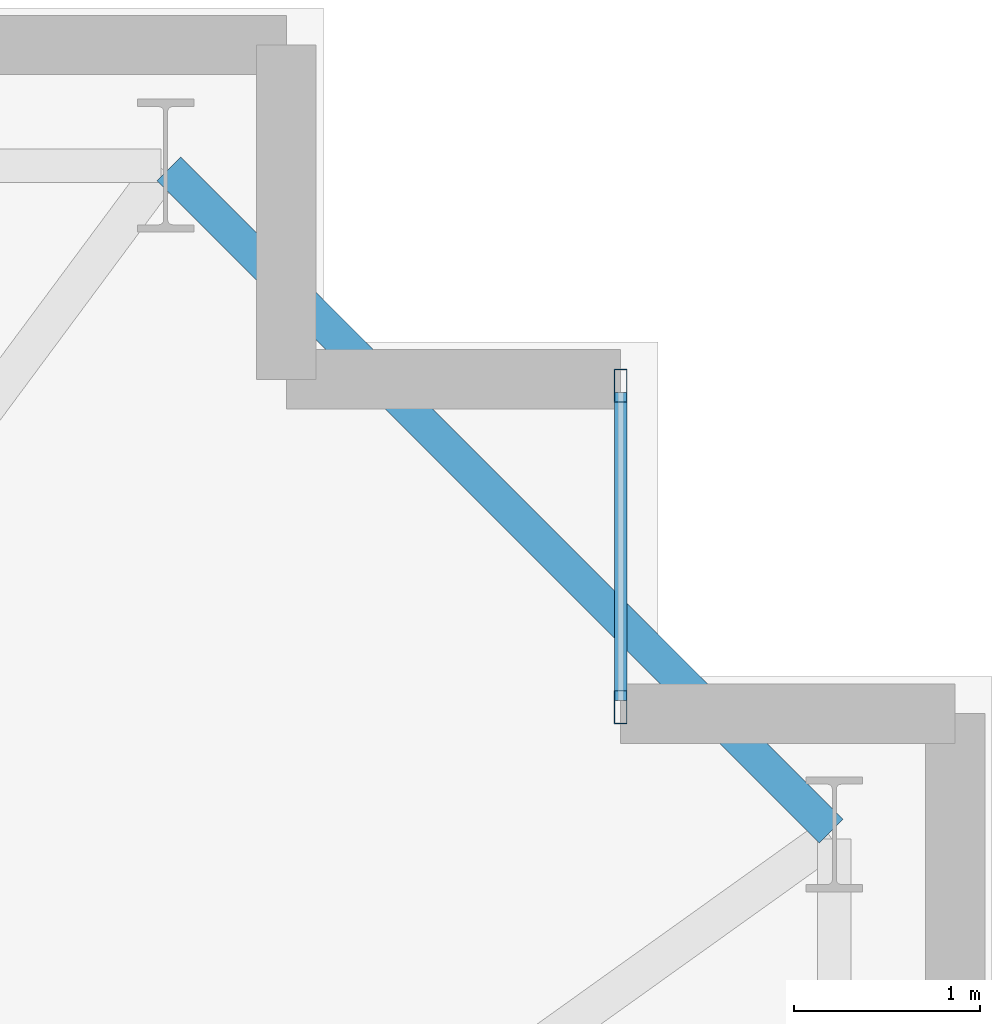
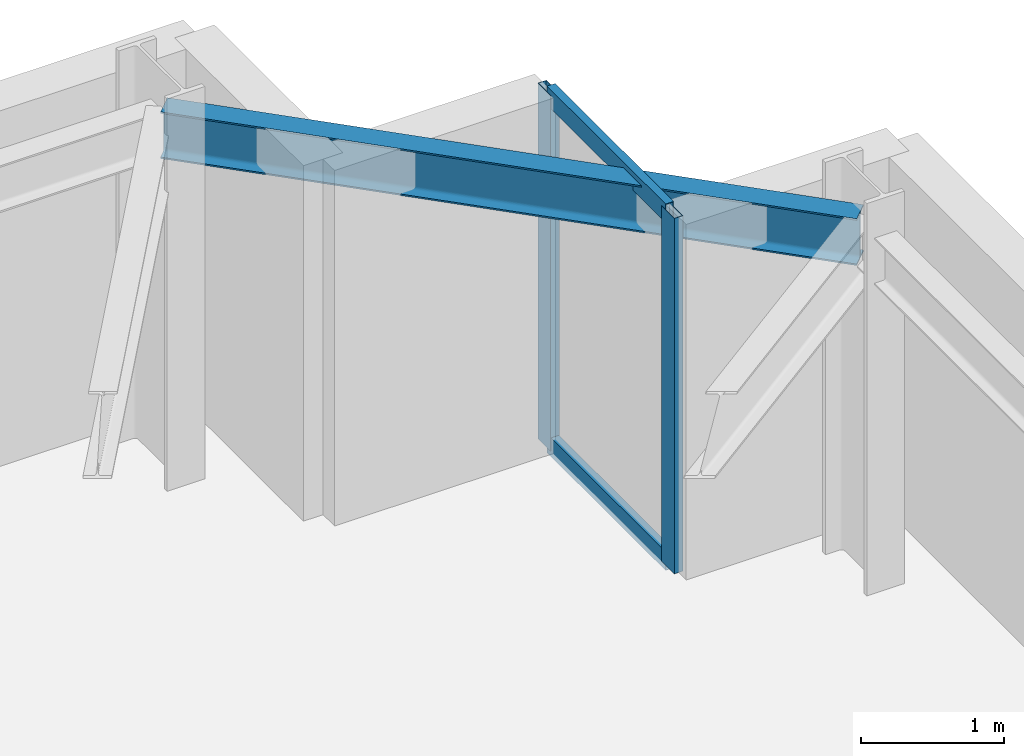
# One storey, part 12 of 22: 4 members, 1 beam, 1 element without a shape of its own.
"""IFC4 building model written with IfcOpenShell, lengths in metres."""

from ifc_helpers import new_model, si_unit, direction, frame, origin, origin_2d, place, context, subcontext, project, spatial, hollow_rectangle, i_section, extrude, material, layer, layer_set, material_profile, profile_set, type_object, element, aggregate, save


model = new_model("IFC4")

# Units and contexts
model_context = context("Model", 3, precision=1e-05, world=origin(), true_north=direction((0.0, 1.0)))
body_context = subcontext(model_context, "Body", "Model", "MODEL_VIEW")
ifc_project = project(units=[si_unit("LENGTHUNIT", "METRE"), si_unit("AREAUNIT", "SQUARE_METRE"), si_unit("VOLUMEUNIT", "CUBIC_METRE"), si_unit("PLANEANGLEUNIT", "RADIAN"), si_unit("MASSUNIT", "GRAM", prefix="KILO")], contexts=[model_context])

# Site, building, storey
site_placement = place(None, origin())
site = spatial("IfcSite", under=ifc_project, at=site_placement, CompositionType="ELEMENT")
building_placement = place(site_placement, origin())
building = spatial("IfcBuilding", under=site, at=building_placement, Name="Qobustan Lattice House", CompositionType="ELEMENT")
storey_placement = place(building_placement, frame((0.0, 0.0, 33.699951171875)))
storey = spatial("IfcBuildingStorey", under=building, at=storey_placement, Name="L08", CompositionType="ELEMENT", Elevation=33.699951171875)

# Beam
ifc_material_1 = material(Name="Steel S355", Category="steel")
ifc_material_profile_1 = material_profile(ifc_material_1, i_section(OverallWidth=0.179931640625, OverallDepth=0.39990234375, WebThickness=0.008544921875, FlangeThickness=0.013427734375, FilletRadius=0.02099609375, at=origin_2d()), Name="IPE400")
ifc_profile_set_1 = profile_set([ifc_material_profile_1], Name="Steel S355")
beam_type = type_object("IfcBeamType", Name="BM-SPD-IPE400", PredefinedType="SPANDREL", material=ifc_profile_set_1)
beam_placement = place(storey_placement, frame((32.13232421875, 15.167724609375, 2.8349609375), z_axis=(-0.707106781187, 0.707106781187, 0.0), x_axis=(-0.707106781187, -0.707106781187, 0.0)))
element("IfcBeam", 1, at=beam_placement, inside=storey, type_object=beam_type, Name="L08 perimeter spandrel E4-N1", PredefinedType="SPANDREL", context=body_context, shape_type="SweptSolid", body=[
    extrude(i_section(OverallWidth=0.179931640625, OverallDepth=0.39990234375, WebThickness=0.008544921875, FlangeThickness=0.013427734375, FilletRadius=0.02099609375, at=origin_2d()), origin(), (0.0, 0.0, 1.0), 5.041259765625),
])

# Curtain wall, members
ifc_material_2 = material(Name="Anodised aluminium and low-E glazing", Category="aluminium")
ifc_layer = layer(ifc_material_2, 0.219970703125)
ifc_layer_set = layer_set([ifc_layer], Name="Anodised aluminium and low-E glazing")
curtain_wall_type = type_object("IfcCurtainWallType", Name="CW-FAC-01", PredefinedType="USERDEFINED", material=ifc_layer_set)
curtain_wall_placement = place(storey_placement, origin())
curtain_wall = element("IfcCurtainWall", 2, at=curtain_wall_placement, inside=storey, type_object=curtain_wall_type, Name="L08 serrated corner faceted glazing 13", ObjectType="CURTAIN WALL", PredefinedType="USERDEFINED")
ifc_material_3 = material(Name="Anodised aluminium EN AW-6063 T6", Category="aluminium")
ifc_material_profile_2 = material_profile(ifc_material_3, hollow_rectangle(XDim=0.070068359375, YDim=0.179931640625, WallThickness=0.00439453125, at=origin_2d()), Name="CWM-180x70")
ifc_profile_set_2 = profile_set([ifc_material_profile_2], Name="Anodised aluminium EN AW-6063 T6")
member_type_1 = type_object("IfcMemberType", Name="CWM-STD-180", PredefinedType="MULLION", material=ifc_profile_set_2)
member_1_placement = place(storey_placement, frame((31.0, 17.56494140625, 0.0), z_axis=(0.0, 0.0, 1.0), x_axis=(1.0, 0.0, 0.0)))
member_1 = element("IfcMember", 3, at=member_1_placement, type_object=member_type_1, Name="CW-F1 mullion 1", PredefinedType="MULLION", context=body_context, shape_type="SweptSolid", body=[
    extrude(hollow_rectangle(XDim=0.070068359375, YDim=0.179931640625, WallThickness=0.00439453125, at=origin_2d()), origin(), (0.0, 0.0, 1.0), 3.03515625),
])
member_2_placement = place(storey_placement, frame((31.0, 15.8349609375, 0.0), z_axis=(0.0, 0.0, 1.0), x_axis=(1.0, 0.0, 0.0)))
member_2 = element("IfcMember", 4, at=member_2_placement, type_object=member_type_1, Name="CW-F1 mullion 2", PredefinedType="MULLION", context=body_context, shape_type="SweptSolid", body=[
    extrude(hollow_rectangle(XDim=0.070068359375, YDim=0.179931640625, WallThickness=0.00439453125, at=origin_2d()), origin(), (0.0, 0.0, 1.0), 3.03515625),
])
ifc_material_4 = material(Name="Anodised aluminium EN AW-6063 T6", Category="aluminium")
ifc_material_profile_3 = material_profile(ifc_material_4, hollow_rectangle(XDim=0.06494140625, YDim=0.159912109375, WallThickness=0.00390625, at=origin_2d()), Name="CWT-160x65")
ifc_profile_set_3 = profile_set([ifc_material_profile_3], Name="Anodised aluminium EN AW-6063 T6")
member_type_2 = type_object("IfcMemberType", Name="CWT-HOR-160", PredefinedType="USERDEFINED", material=ifc_profile_set_3)
member_3_placement = place(storey_placement, frame((31.0, 17.530029296875, 0.032470703125), z_axis=(0.0, -1.0, 0.0), x_axis=(1.0, 0.0, 0.0)))
member_3 = element("IfcMember", 5, at=member_3_placement, type_object=member_type_2, Name="CW-F1 transom 1.1", ObjectType="TRANSOM", PredefinedType="USERDEFINED", context=body_context, shape_type="SweptSolid", body=[
    extrude(hollow_rectangle(XDim=0.06494140625, YDim=0.159912109375, WallThickness=0.00390625, at=origin_2d()), origin(), (0.0, 0.0, 1.0), 1.659912109375),
])
member_4_placement = place(storey_placement, frame((31.0, 17.530029296875, 3.00244140625), z_axis=(0.0, -1.0, 0.0), x_axis=(1.0, 0.0, 0.0)))
member_4 = element("IfcMember", 6, at=member_4_placement, type_object=member_type_2, Name="CW-F1 transom 1.2", ObjectType="TRANSOM", PredefinedType="USERDEFINED", context=body_context, shape_type="SweptSolid", body=[
    extrude(hollow_rectangle(XDim=0.06494140625, YDim=0.159912109375, WallThickness=0.00390625, at=origin_2d()), origin(), (0.0, 0.0, 1.0), 1.659912109375),
])
aggregate(curtain_wall, [member_1, member_2, member_3, member_4])

save(model, "model.ifc")
